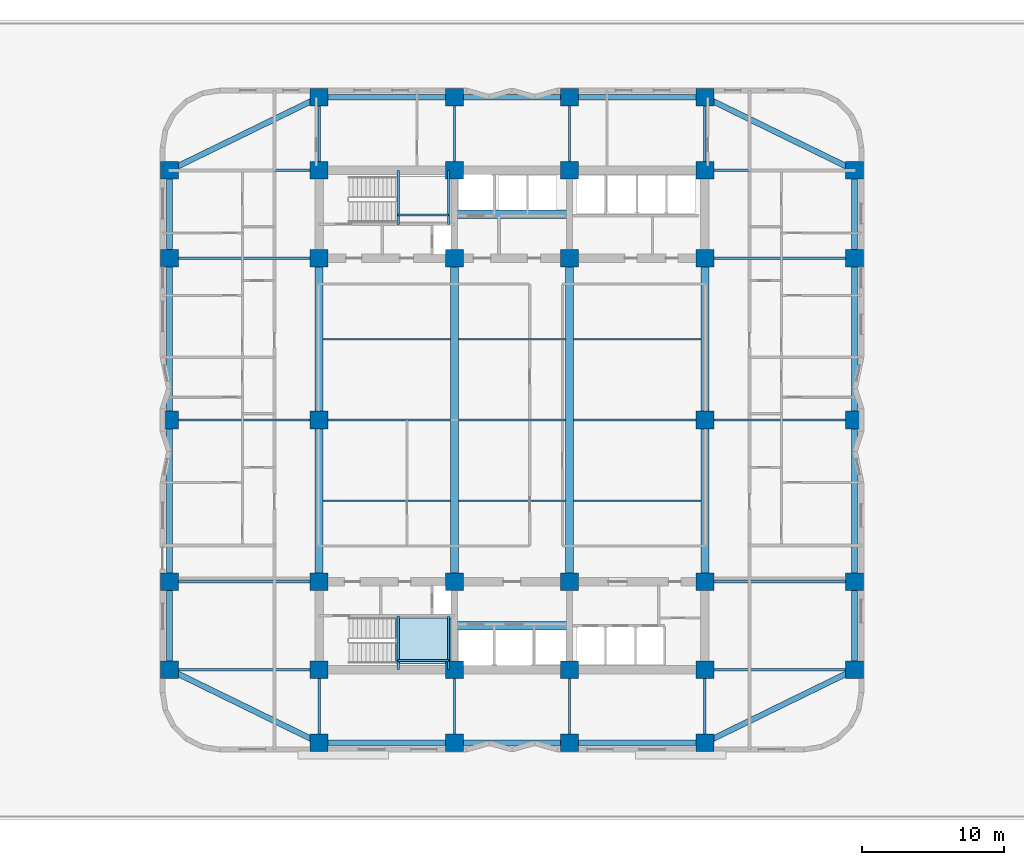
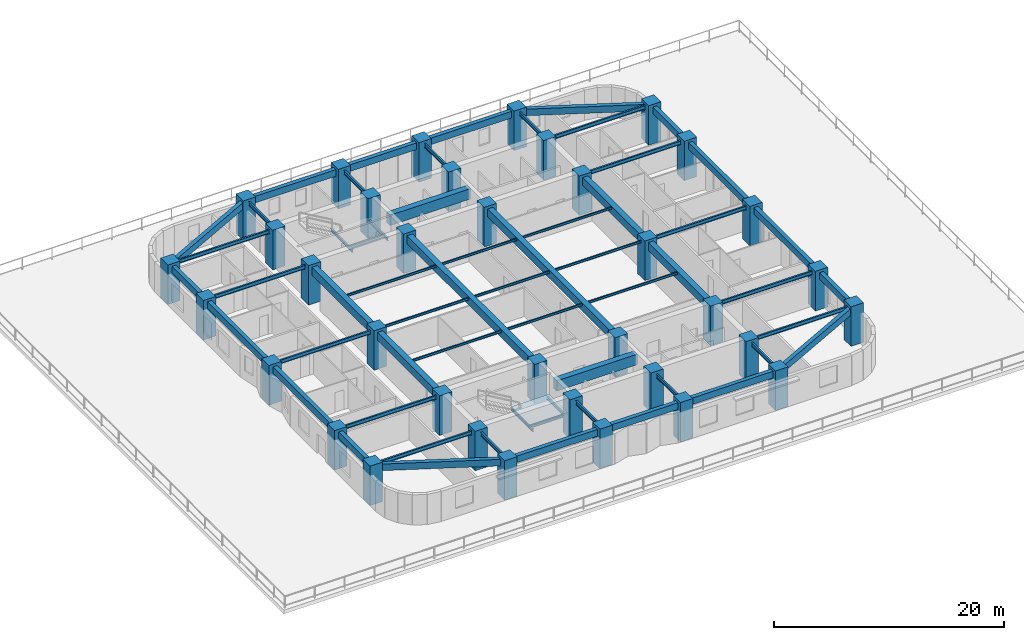
# One storey, part 1 of 11: 59 beams, 36 columns, 1 slab, 1 element without a shape of its own.
"""IFC4 building model written with IfcOpenShell, lengths in metres."""

from ifc_helpers import new_model, si_unit, direction, frame, origin, origin_2d, place, context, subcontext, project, spatial, polyline, rectangle, i_section, outline, extrude, material, layer, layer_set, material_profile, profile_set, type_object, element, aggregate, save


model = new_model("IFC4")

# Units and contexts
model_context = context("Model", 3, precision=1e-05, world=origin(), true_north=direction((0.0, 1.0)))
body_context = subcontext(model_context, "Body", "Model", "MODEL_VIEW")
ifc_project = project(units=[si_unit("LENGTHUNIT", "METRE"), si_unit("AREAUNIT", "SQUARE_METRE"), si_unit("VOLUMEUNIT", "CUBIC_METRE"), si_unit("PLANEANGLEUNIT", "RADIAN"), si_unit("MASSUNIT", "GRAM", prefix="KILO")], contexts=[model_context])

# Site, building, storey
site_placement = place(None, origin())
site = spatial("IfcSite", under=ifc_project, at=site_placement, CompositionType="ELEMENT")
building_placement = place(site_placement, origin())
building = spatial("IfcBuilding", under=site, at=building_placement, Name="Svetorya Sky Lyceum", CompositionType="ELEMENT")
storey_placement = place(building_placement, frame((0.0, 0.0, 24.60009765625)))
storey = spatial("IfcBuildingStorey", under=building, at=storey_placement, Name="L05", CompositionType="ELEMENT", Elevation=24.60009765625)

# Columns
ifc_material_1 = material(Name="Concrete C60/75", Category="concrete")
ifc_material_profile_1 = material_profile(ifc_material_1, rectangle(XDim=1.25, YDim=1.25, at=origin_2d()), Name="RC COL 1250x1250")
ifc_profile_set_1 = profile_set([ifc_material_profile_1], Name="Concrete C60/75")
column_type = type_object("IfcColumnType", Name="COL-RC-1250", PredefinedType="COLUMN", material=ifc_profile_set_1)
for number, where, z_axis, x_axis, name in (
    (1, (25.60009765625, 10.60009765625, 0.0), (0.0, 0.0, 1.0), (1.0, 0.0, 0.0), "L05 Core Column CS-11"),
    (2, (25.60009765625, 16.800048828125, 0.0), (0.0, 0.0, 1.0), (1.0, 0.0, 0.0), "L05 Core Column CS-12"),
    (3, (35.14990234375, 10.60009765625, 0.0), (0.0, 0.0, 1.0), (1.0, 0.0, 0.0), "L05 Core Column CS-21"),
    (4, (35.14990234375, 16.800048828125, 0.0), (0.0, 0.0, 1.0), (1.0, 0.0, 0.0), "L05 Core Column CS-22"),
    (5, (43.25, 10.60009765625, 0.0), (0.0, 0.0, 1.0), (1.0, 0.0, 0.0), "L05 Core Column CS-31"),
    (6, (43.25, 16.800048828125, 0.0), (0.0, 0.0, 1.0), (1.0, 0.0, 0.0), "L05 Core Column CS-32"),
    (7, (52.800048828125, 10.60009765625, 0.0), (0.0, 0.0, 1.0), (1.0, 0.0, 0.0), "L05 Core Column CS-41"),
    (8, (52.800048828125, 16.800048828125, 0.0), (0.0, 0.0, 1.0), (1.0, 0.0, 0.0), "L05 Core Column CS-42"),
    (9, (25.60009765625, 39.60009765625, 0.0), (0.0, 0.0, 1.0), (1.0, 0.0, 0.0), "L05 Core Column CN-11"),
    (10, (25.60009765625, 45.800048828125, 0.0), (0.0, 0.0, 1.0), (1.0, 0.0, 0.0), "L05 Core Column CN-12"),
    (11, (35.14990234375, 39.60009765625, 0.0), (0.0, 0.0, 1.0), (1.0, 0.0, 0.0), "L05 Core Column CN-21"),
    (12, (35.14990234375, 45.800048828125, 0.0), (0.0, 0.0, 1.0), (1.0, 0.0, 0.0), "L05 Core Column CN-22"),
    (13, (43.25, 39.60009765625, 0.0), (0.0, 0.0, 1.0), (1.0, 0.0, 0.0), "L05 Core Column CN-31"),
    (14, (43.25, 45.800048828125, 0.0), (0.0, 0.0, 1.0), (1.0, 0.0, 0.0), "L05 Core Column CN-32"),
    (15, (52.800048828125, 39.60009765625, 0.0), (0.0, 0.0, 1.0), (1.0, 0.0, 0.0), "L05 Core Column CN-41"),
    (16, (52.800048828125, 45.800048828125, 0.0), (0.0, 0.0, 1.0), (1.0, 0.0, 0.0), "L05 Core Column CN-42"),
    (17, (25.60009765625, 28.199951171875, 0.0), (0.0, 0.0, 1.0), (1.0, 0.0, 0.0), "L05 Core Column CM-W"),
    (18, (52.800048828125, 28.199951171875, 0.0), (0.0, 0.0, 1.0), (1.0, 0.0, 0.0), "L05 Core Column CM-E"),
    (19, (25.60009765625, 5.449951171875, 0.0), (0.0, 0.0, 1.0), (1.0, 0.0, 0.0), "L05 Perimeter Column S1"),
    (20, (25.60009765625, 50.949951171875, 0.0), (0.0, 0.0, 1.0), (1.0, 0.0, 0.0), "L05 Perimeter Column N1"),
    (21, (35.14990234375, 5.449951171875, 0.0), (0.0, 0.0, 1.0), (1.0, 0.0, 0.0), "L05 Perimeter Column S2"),
    (22, (35.14990234375, 50.949951171875, 0.0), (0.0, 0.0, 1.0), (1.0, 0.0, 0.0), "L05 Perimeter Column N2"),
    (23, (43.25, 5.449951171875, 0.0), (0.0, 0.0, 1.0), (1.0, 0.0, 0.0), "L05 Perimeter Column S3"),
    (24, (43.25, 50.949951171875, 0.0), (0.0, 0.0, 1.0), (1.0, 0.0, 0.0), "L05 Perimeter Column N3"),
    (25, (52.800048828125, 5.449951171875, 0.0), (0.0, 0.0, 1.0), (1.0, 0.0, 0.0), "L05 Perimeter Column S4"),
    (26, (52.800048828125, 50.949951171875, 0.0), (0.0, 0.0, 1.0), (1.0, 0.0, 0.0), "L05 Perimeter Column N4"),
    (27, (15.050048828125, 10.60009765625, 0.0), (0.0, 0.0, 1.0), (1.0, 0.0, 0.0), "L05 Perimeter Column W1"),
    (28, (63.35009765625, 10.60009765625, 0.0), (0.0, 0.0, 1.0), (1.0, 0.0, 0.0), "L05 Perimeter Column E1"),
    (29, (15.050048828125, 16.800048828125, 0.0), (0.0, 0.0, 1.0), (1.0, 0.0, 0.0), "L05 Perimeter Column W2"),
    (30, (63.35009765625, 16.800048828125, 0.0), (0.0, 0.0, 1.0), (1.0, 0.0, 0.0), "L05 Perimeter Column E2"),
    (31, (15.050048828125, 28.199951171875, 0.0), (0.0, 0.0, 1.0), (1.0, 0.0, 0.0), "L05 Perimeter Column W3"),
    (32, (63.35009765625, 28.199951171875, 0.0), (0.0, 0.0, 1.0), (1.0, 0.0, 0.0), "L05 Perimeter Column E3"),
    (33, (15.050048828125, 39.60009765625, 0.0), (0.0, 0.0, 1.0), (1.0, 0.0, 0.0), "L05 Perimeter Column W4"),
    (34, (63.35009765625, 39.60009765625, 0.0), (0.0, 0.0, 1.0), (1.0, 0.0, 0.0), "L05 Perimeter Column E4"),
    (35, (15.050048828125, 45.800048828125, 0.0), (0.0, 0.0, 1.0), (1.0, 0.0, 0.0), "L05 Perimeter Column W5"),
    (36, (63.35009765625, 45.800048828125, 0.0), (0.0, 0.0, 1.0), (1.0, 0.0, 0.0), "L05 Perimeter Column E5"),
):
    element("IfcColumn", number, at=place(storey_placement, frame(where, z_axis=z_axis, x_axis=x_axis)), inside=storey, type_object=column_type, Name=name, PredefinedType="COLUMN", context=body_context, shape_type="SweptSolid", body=[
        extrude(rectangle(XDim=1.25, YDim=1.25, at=origin_2d()), origin(), (0.0, 0.0, 1.0), 4.199951171875),
    ])

# Beams
ifc_material_profile_2 = material_profile(ifc_material_1, rectangle(XDim=0.60009765625, YDim=1.10009765625, at=origin_2d()), Name="RC COUPLING 600x1100")
ifc_profile_set_2 = profile_set([ifc_material_profile_2], Name="Concrete C60/75")
beam_type_1 = type_object("IfcBeamType", Name="BM-CPL-1100", PredefinedType="LINTEL", material=ifc_profile_set_2)
for number, where, z_axis, x_axis, name in (
    (37, (35.14990234375, 13.699951171875, 3.369873046875), (1.0, 0.0, 0.0), (0.0, 1.0, 0.0), "L05 SC Core Coupling Beam"),
    (38, (35.14990234375, 42.699951171875, 3.369873046875), (1.0, 0.0, 0.0), (0.0, 1.0, 0.0), "L05 NC Core Coupling Beam"),
):
    element("IfcBeam", number, at=place(storey_placement, frame(where, z_axis=z_axis, x_axis=x_axis)), inside=storey, type_object=beam_type_1, Name=name, PredefinedType="LINTEL", context=body_context, shape_type="SweptSolid", body=[
        extrude(rectangle(XDim=0.60009765625, YDim=1.10009765625, at=origin_2d()), origin(), (0.0, 0.0, 1.0), 8.10009765625),
    ])
ifc_material_2 = material(Name="Concrete C50/60", Category="concrete")
ifc_material_profile_3 = material_profile(ifc_material_2, rectangle(XDim=0.550048828125, YDim=0.85009765625, at=origin_2d()), Name="RC BEAM 550x850")
ifc_profile_set_3 = profile_set([ifc_material_profile_3], Name="Concrete C50/60")
beam_type_2 = type_object("IfcBeamType", Name="BM-RC-850", PredefinedType="BEAM", material=ifc_profile_set_3)
beam_1_placement = place(storey_placement, frame((25.60009765625, 16.800048828125, 3.494873046875), z_axis=(0.0, 1.0, 0.0), x_axis=(-1.0, 0.0, 0.0)))
element("IfcBeam", 39, at=beam_1_placement, inside=storey, type_object=beam_type_2, Name="L05 Central Bay Primary Girder CG-1A", PredefinedType="BEAM", context=body_context, shape_type="SweptSolid", body=[
    extrude(rectangle(XDim=0.550048828125, YDim=0.85009765625, at=origin_2d()), origin(), (0.0, 0.0, 1.0), 11.39990234375),
])
beam_2_placement = place(storey_placement, frame((25.60009765625, 28.199951171875, 3.494873046875), z_axis=(0.0, 1.0, 0.0), x_axis=(-1.0, 0.0, 0.0)))
element("IfcBeam", 40, at=beam_2_placement, inside=storey, type_object=beam_type_2, Name="L05 Central Bay Primary Girder CG-1B", PredefinedType="BEAM", context=body_context, shape_type="SweptSolid", body=[
    extrude(rectangle(XDim=0.550048828125, YDim=0.85009765625, at=origin_2d()), origin(), (0.0, 0.0, 1.0), 11.400146484375),
])
for number, where, z_axis, x_axis, name in (
    (41, (35.14990234375, 16.800048828125, 3.494873046875), (0.0, 1.0, 0.0), (-1.0, 0.0, 0.0), "L05 Central Bay Primary Girder CG-2"),
    (42, (43.25, 16.800048828125, 3.494873046875), (0.0, 1.0, 0.0), (-1.0, 0.0, 0.0), "L05 Central Bay Primary Girder CG-3"),
):
    element("IfcBeam", number, at=place(storey_placement, frame(where, z_axis=z_axis, x_axis=x_axis)), inside=storey, type_object=beam_type_2, Name=name, PredefinedType="BEAM", context=body_context, shape_type="SweptSolid", body=[
        extrude(rectangle(XDim=0.550048828125, YDim=0.85009765625, at=origin_2d()), origin(), (0.0, 0.0, 1.0), 22.800048828125),
    ])
beam_3_placement = place(storey_placement, frame((52.800048828125, 16.800048828125, 3.494873046875), z_axis=(0.0, 1.0, 0.0), x_axis=(-1.0, 0.0, 0.0)))
element("IfcBeam", 43, at=beam_3_placement, inside=storey, type_object=beam_type_2, Name="L05 Central Bay Primary Girder CG-4A", PredefinedType="BEAM", context=body_context, shape_type="SweptSolid", body=[
    extrude(rectangle(XDim=0.550048828125, YDim=0.85009765625, at=origin_2d()), origin(), (0.0, 0.0, 1.0), 11.39990234375),
])
beam_4_placement = place(storey_placement, frame((52.800048828125, 28.199951171875, 3.494873046875), z_axis=(0.0, 1.0, 0.0), x_axis=(-1.0, 0.0, 0.0)))
element("IfcBeam", 44, at=beam_4_placement, inside=storey, type_object=beam_type_2, Name="L05 Central Bay Primary Girder CG-4B", PredefinedType="BEAM", context=body_context, shape_type="SweptSolid", body=[
    extrude(rectangle(XDim=0.550048828125, YDim=0.85009765625, at=origin_2d()), origin(), (0.0, 0.0, 1.0), 11.400146484375),
])
ifc_material_profile_4 = material_profile(ifc_material_2, rectangle(XDim=0.39990234375, YDim=0.699951171875, at=origin_2d()), Name="RC SPANDREL 400x700")
ifc_profile_set_4 = profile_set([ifc_material_profile_4], Name="Concrete C50/60")
beam_type_3 = type_object("IfcBeamType", Name="BM-SPN-700", PredefinedType="SPANDREL", material=ifc_profile_set_4)
beam_5_placement = place(storey_placement, frame((25.60009765625, 5.449951171875, 3.56982421875), z_axis=(1.0, 0.0, 0.0), x_axis=(0.0, 1.0, 0.0)))
element("IfcBeam", 45, at=beam_5_placement, inside=storey, type_object=beam_type_3, Name="L05 South Spandrel 1", PredefinedType="SPANDREL", context=body_context, shape_type="SweptSolid", body=[
    extrude(rectangle(XDim=0.39990234375, YDim=0.699951171875, at=origin_2d()), origin(), (0.0, 0.0, 1.0), 9.5498046875),
])
beam_6_placement = place(storey_placement, frame((35.14990234375, 5.449951171875, 3.56982421875), z_axis=(1.0, 0.0, 0.0), x_axis=(0.0, 1.0, 0.0)))
element("IfcBeam", 46, at=beam_6_placement, inside=storey, type_object=beam_type_3, Name="L05 South Spandrel 2", PredefinedType="SPANDREL", context=body_context, shape_type="SweptSolid", body=[
    extrude(rectangle(XDim=0.39990234375, YDim=0.699951171875, at=origin_2d()), origin(), (0.0, 0.0, 1.0), 8.10009765625),
])
beam_7_placement = place(storey_placement, frame((43.25, 5.449951171875, 3.56982421875), z_axis=(1.0, 0.0, 0.0), x_axis=(0.0, 1.0, 0.0)))
element("IfcBeam", 47, at=beam_7_placement, inside=storey, type_object=beam_type_3, Name="L05 South Spandrel 3", PredefinedType="SPANDREL", context=body_context, shape_type="SweptSolid", body=[
    extrude(rectangle(XDim=0.39990234375, YDim=0.699951171875, at=origin_2d()), origin(), (0.0, 0.0, 1.0), 9.550048828125),
])
beam_8_placement = place(storey_placement, frame((25.60009765625, 50.949951171875, 3.56982421875), z_axis=(1.0, 0.0, 0.0), x_axis=(0.0, 1.0, 0.0)))
element("IfcBeam", 48, at=beam_8_placement, inside=storey, type_object=beam_type_3, Name="L05 North Spandrel 1", PredefinedType="SPANDREL", context=body_context, shape_type="SweptSolid", body=[
    extrude(rectangle(XDim=0.39990234375, YDim=0.699951171875, at=origin_2d()), origin(), (0.0, 0.0, 1.0), 9.5498046875),
])
beam_9_placement = place(storey_placement, frame((35.14990234375, 50.949951171875, 3.56982421875), z_axis=(1.0, 0.0, 0.0), x_axis=(0.0, 1.0, 0.0)))
element("IfcBeam", 49, at=beam_9_placement, inside=storey, type_object=beam_type_3, Name="L05 North Spandrel 2", PredefinedType="SPANDREL", context=body_context, shape_type="SweptSolid", body=[
    extrude(rectangle(XDim=0.39990234375, YDim=0.699951171875, at=origin_2d()), origin(), (0.0, 0.0, 1.0), 8.10009765625),
])
beam_10_placement = place(storey_placement, frame((43.25, 50.949951171875, 3.56982421875), z_axis=(1.0, 0.0, 0.0), x_axis=(0.0, 1.0, 0.0)))
element("IfcBeam", 50, at=beam_10_placement, inside=storey, type_object=beam_type_3, Name="L05 North Spandrel 3", PredefinedType="SPANDREL", context=body_context, shape_type="SweptSolid", body=[
    extrude(rectangle(XDim=0.39990234375, YDim=0.699951171875, at=origin_2d()), origin(), (0.0, 0.0, 1.0), 9.550048828125),
])
for number, where, z_axis, x_axis, name in (
    (51, (25.60009765625, 5.449951171875, 3.56982421875), (-0.898641495694, 0.438683783854, 0.0), (-0.438683783854, -0.898641495694, 0.0), "L05 Corner Spandrel 1"),
    (52, (52.800048828125, 5.449951171875, 3.56982421875), (0.898641495694, 0.438683783854, 0.0), (-0.438683783854, 0.898641495694, 0.0), "L05 Corner Spandrel 2"),
    (53, (63.35009765625, 45.800048828125, 3.56982421875), (-0.898649693653, 0.438666989978, 0.0), (-0.438666989978, -0.898649693653, 0.0), "L05 Corner Spandrel 3"),
    (54, (15.050048828125, 45.800048828125, 3.56982421875), (0.898649693653, 0.438666989978, 0.0), (-0.438666989978, 0.898649693653, 0.0), "L05 Corner Spandrel 4"),
):
    element("IfcBeam", number, at=place(storey_placement, frame(where, z_axis=z_axis, x_axis=x_axis)), inside=storey, type_object=beam_type_3, Name=name, PredefinedType="SPANDREL", context=body_context, shape_type="SweptSolid", body=[
        extrude(rectangle(XDim=0.39990234375, YDim=0.699951171875, at=origin_2d()), origin(), (0.0, 0.0, 1.0), 11.739990234375),
    ])
beam_11_placement = place(storey_placement, frame((15.050048828125, 10.60009765625, 3.56982421875), z_axis=(0.0, 1.0, 0.0), x_axis=(-1.0, 0.0, 0.0)))
element("IfcBeam", 55, at=beam_11_placement, inside=storey, type_object=beam_type_3, Name="L05 West Spandrel 1", PredefinedType="SPANDREL", context=body_context, shape_type="SweptSolid", body=[
    extrude(rectangle(XDim=0.39990234375, YDim=0.699951171875, at=origin_2d()), origin(), (0.0, 0.0, 1.0), 6.199951171875),
])
beam_12_placement = place(storey_placement, frame((15.050048828125, 16.800048828125, 3.56982421875), z_axis=(0.0, 1.0, 0.0), x_axis=(-1.0, 0.0, 0.0)))
element("IfcBeam", 56, at=beam_12_placement, inside=storey, type_object=beam_type_3, Name="L05 West Spandrel 2", PredefinedType="SPANDREL", context=body_context, shape_type="SweptSolid", body=[
    extrude(rectangle(XDim=0.39990234375, YDim=0.699951171875, at=origin_2d()), origin(), (0.0, 0.0, 1.0), 11.39990234375),
])
beam_13_placement = place(storey_placement, frame((15.050048828125, 28.199951171875, 3.56982421875), z_axis=(0.0, 1.0, 0.0), x_axis=(-1.0, 0.0, 0.0)))
element("IfcBeam", 57, at=beam_13_placement, inside=storey, type_object=beam_type_3, Name="L05 West Spandrel 3", PredefinedType="SPANDREL", context=body_context, shape_type="SweptSolid", body=[
    extrude(rectangle(XDim=0.39990234375, YDim=0.699951171875, at=origin_2d()), origin(), (0.0, 0.0, 1.0), 11.400146484375),
])
for number, where, z_axis, x_axis, name in (
    (58, (15.050048828125, 39.60009765625, 3.56982421875), (0.0, 1.0, 0.0), (-1.0, 0.0, 0.0), "L05 West Spandrel 4"),
    (59, (63.35009765625, 10.60009765625, 3.56982421875), (0.0, 1.0, 0.0), (-1.0, 0.0, 0.0), "L05 East Spandrel 1"),
):
    element("IfcBeam", number, at=place(storey_placement, frame(where, z_axis=z_axis, x_axis=x_axis)), inside=storey, type_object=beam_type_3, Name=name, PredefinedType="SPANDREL", context=body_context, shape_type="SweptSolid", body=[
        extrude(rectangle(XDim=0.39990234375, YDim=0.699951171875, at=origin_2d()), origin(), (0.0, 0.0, 1.0), 6.199951171875),
    ])
beam_14_placement = place(storey_placement, frame((63.35009765625, 16.800048828125, 3.56982421875), z_axis=(0.0, 1.0, 0.0), x_axis=(-1.0, 0.0, 0.0)))
element("IfcBeam", 60, at=beam_14_placement, inside=storey, type_object=beam_type_3, Name="L05 East Spandrel 2", PredefinedType="SPANDREL", context=body_context, shape_type="SweptSolid", body=[
    extrude(rectangle(XDim=0.39990234375, YDim=0.699951171875, at=origin_2d()), origin(), (0.0, 0.0, 1.0), 11.39990234375),
])
beam_15_placement = place(storey_placement, frame((63.35009765625, 28.199951171875, 3.56982421875), z_axis=(0.0, 1.0, 0.0), x_axis=(-1.0, 0.0, 0.0)))
element("IfcBeam", 61, at=beam_15_placement, inside=storey, type_object=beam_type_3, Name="L05 East Spandrel 3", PredefinedType="SPANDREL", context=body_context, shape_type="SweptSolid", body=[
    extrude(rectangle(XDim=0.39990234375, YDim=0.699951171875, at=origin_2d()), origin(), (0.0, 0.0, 1.0), 11.400146484375),
])
beam_16_placement = place(storey_placement, frame((63.35009765625, 39.60009765625, 3.56982421875), z_axis=(0.0, 1.0, 0.0), x_axis=(-1.0, 0.0, 0.0)))
element("IfcBeam", 62, at=beam_16_placement, inside=storey, type_object=beam_type_3, Name="L05 East Spandrel 4", PredefinedType="SPANDREL", context=body_context, shape_type="SweptSolid", body=[
    extrude(rectangle(XDim=0.39990234375, YDim=0.699951171875, at=origin_2d()), origin(), (0.0, 0.0, 1.0), 6.199951171875),
])
ifc_material_3 = material(Name="Steel S355", Category="steel")
ifc_material_profile_5 = material_profile(ifc_material_3, i_section(OverallWidth=0.1240234375, OverallDepth=0.248046875, WebThickness=0.006103515625, FlangeThickness=0.009521484375, at=origin_2d()), Name="GOST 25B2")
ifc_profile_set_5 = profile_set([ifc_material_profile_5], Name="Steel S355")
beam_type_4 = type_object("IfcBeamType", Name="BM-STL-25B2", PredefinedType="JOIST", material=ifc_profile_set_5)
beam_17_placement = place(storey_placement, frame((25.875, 22.5, 3.7958984375), z_axis=(1.0, 0.0, 0.0), x_axis=(0.0, 1.0, 0.0)))
element("IfcBeam", 63, at=beam_17_placement, inside=storey, type_object=beam_type_4, Name="L05 Central Floor Joist CJ-1.1", PredefinedType="JOIST", context=body_context, shape_type="SweptSolid", body=[
    extrude(i_section(OverallWidth=0.1240234375, OverallDepth=0.248046875, WebThickness=0.006103515625, FlangeThickness=0.009521484375, at=origin_2d()), origin(), (0.0, 0.0, 1.0), 9.0),
])
beam_18_placement = place(storey_placement, frame((35.425048828125, 22.5, 3.7958984375), z_axis=(1.0, 0.0, 0.0), x_axis=(0.0, 1.0, 0.0)))
element("IfcBeam", 64, at=beam_18_placement, inside=storey, type_object=beam_type_4, Name="L05 Central Floor Joist CJ-1.2", PredefinedType="JOIST", context=body_context, shape_type="SweptSolid", body=[
    extrude(i_section(OverallWidth=0.1240234375, OverallDepth=0.248046875, WebThickness=0.006103515625, FlangeThickness=0.009521484375, at=origin_2d()), origin(), (0.0, 0.0, 1.0), 7.550048828125),
])
for number, where, z_axis, x_axis, name in (
    (65, (43.52490234375, 22.5, 3.7958984375), (1.0, 0.0, 0.0), (0.0, 1.0, 0.0), "L05 Central Floor Joist CJ-1.3"),
    (66, (25.875, 28.199951171875, 3.7958984375), (1.0, 0.0, 0.0), (0.0, 1.0, 0.0), "L05 Central Floor Joist CJ-2.1"),
):
    element("IfcBeam", number, at=place(storey_placement, frame(where, z_axis=z_axis, x_axis=x_axis)), inside=storey, type_object=beam_type_4, Name=name, PredefinedType="JOIST", context=body_context, shape_type="SweptSolid", body=[
        extrude(i_section(OverallWidth=0.1240234375, OverallDepth=0.248046875, WebThickness=0.006103515625, FlangeThickness=0.009521484375, at=origin_2d()), origin(), (0.0, 0.0, 1.0), 9.0),
    ])
beam_19_placement = place(storey_placement, frame((35.425048828125, 28.199951171875, 3.7958984375), z_axis=(1.0, 0.0, 0.0), x_axis=(0.0, 1.0, 0.0)))
element("IfcBeam", 67, at=beam_19_placement, inside=storey, type_object=beam_type_4, Name="L05 Central Floor Joist CJ-2.2", PredefinedType="JOIST", context=body_context, shape_type="SweptSolid", body=[
    extrude(i_section(OverallWidth=0.1240234375, OverallDepth=0.248046875, WebThickness=0.006103515625, FlangeThickness=0.009521484375, at=origin_2d()), origin(), (0.0, 0.0, 1.0), 7.550048828125),
])
for number, where, z_axis, x_axis, name in (
    (68, (43.52490234375, 28.199951171875, 3.7958984375), (1.0, 0.0, 0.0), (0.0, 1.0, 0.0), "L05 Central Floor Joist CJ-2.3"),
    (69, (25.875, 33.89990234375, 3.7958984375), (1.0, 0.0, 0.0), (0.0, 1.0, 0.0), "L05 Central Floor Joist CJ-3.1"),
):
    element("IfcBeam", number, at=place(storey_placement, frame(where, z_axis=z_axis, x_axis=x_axis)), inside=storey, type_object=beam_type_4, Name=name, PredefinedType="JOIST", context=body_context, shape_type="SweptSolid", body=[
        extrude(i_section(OverallWidth=0.1240234375, OverallDepth=0.248046875, WebThickness=0.006103515625, FlangeThickness=0.009521484375, at=origin_2d()), origin(), (0.0, 0.0, 1.0), 9.0),
    ])
beam_20_placement = place(storey_placement, frame((35.425048828125, 33.89990234375, 3.7958984375), z_axis=(1.0, 0.0, 0.0), x_axis=(0.0, 1.0, 0.0)))
element("IfcBeam", 70, at=beam_20_placement, inside=storey, type_object=beam_type_4, Name="L05 Central Floor Joist CJ-3.2", PredefinedType="JOIST", context=body_context, shape_type="SweptSolid", body=[
    extrude(i_section(OverallWidth=0.1240234375, OverallDepth=0.248046875, WebThickness=0.006103515625, FlangeThickness=0.009521484375, at=origin_2d()), origin(), (0.0, 0.0, 1.0), 7.550048828125),
])
beam_21_placement = place(storey_placement, frame((43.52490234375, 33.89990234375, 3.7958984375), z_axis=(1.0, 0.0, 0.0), x_axis=(0.0, 1.0, 0.0)))
element("IfcBeam", 71, at=beam_21_placement, inside=storey, type_object=beam_type_4, Name="L05 Central Floor Joist CJ-3.3", PredefinedType="JOIST", context=body_context, shape_type="SweptSolid", body=[
    extrude(i_section(OverallWidth=0.1240234375, OverallDepth=0.248046875, WebThickness=0.006103515625, FlangeThickness=0.009521484375, at=origin_2d()), origin(), (0.0, 0.0, 1.0), 9.0),
])
ifc_material_profile_6 = material_profile(ifc_material_3, i_section(OverallWidth=0.14990234375, OverallDepth=0.299072265625, WebThickness=0.006591796875, FlangeThickness=0.010498046875, at=origin_2d()), Name="GOST 30B2")
ifc_profile_set_6 = profile_set([ifc_material_profile_6], Name="Steel S355")
beam_type_5 = type_object("IfcBeamType", Name="BM-STL-30B2", PredefinedType="JOIST", material=ifc_profile_set_6)
for number, where, z_axis, x_axis, name in (
    (72, (31.179931640625, 10.60009765625, 1.75048828125), (0.0, 1.0, 0.0), (-1.0, 0.0, 0.0), "L05 Stair ST-S Half-Landing Support Beam 7.1"),
    (73, (34.719970703125, 10.60009765625, 1.75048828125), (0.0, 1.0, 0.0), (-1.0, 0.0, 0.0), "L05 Stair ST-S Half-Landing Support Beam 7.2"),
):
    element("IfcBeam", number, at=place(storey_placement, frame(where, z_axis=z_axis, x_axis=x_axis)), inside=storey, type_object=beam_type_5, Name=name, PredefinedType="JOIST", context=body_context, shape_type="SweptSolid", body=[
        extrude(i_section(OverallWidth=0.14990234375, OverallDepth=0.299072265625, WebThickness=0.006591796875, FlangeThickness=0.010498046875, at=origin_2d()), origin(), (0.0, 0.0, 1.0), 3.7998046875),
    ])
beam_22_placement = place(storey_placement, frame((31.179931640625, 11.25, 1.75048828125), z_axis=(1.0, 0.0, 0.0), x_axis=(0.0, 1.0, 0.0)))
element("IfcBeam", 74, at=beam_22_placement, inside=storey, type_object=beam_type_5, Name="L05 Stair ST-S Half-Landing Cross Tie 7", PredefinedType="JOIST", context=body_context, shape_type="SweptSolid", body=[
    extrude(i_section(OverallWidth=0.14990234375, OverallDepth=0.299072265625, WebThickness=0.006591796875, FlangeThickness=0.010498046875, at=origin_2d()), origin(), (0.0, 0.0, 1.0), 3.5400390625),
])
for number, where, z_axis, x_axis, name in (
    (75, (31.179931640625, 42.0, 1.75048828125), (0.0, 1.0, 0.0), (-1.0, 0.0, 0.0), "L05 Stair ST-N Half-Landing Support Beam 7.1"),
    (76, (34.719970703125, 42.0, 1.75048828125), (0.0, 1.0, 0.0), (-1.0, 0.0, 0.0), "L05 Stair ST-N Half-Landing Support Beam 7.2"),
):
    element("IfcBeam", number, at=place(storey_placement, frame(where, z_axis=z_axis, x_axis=x_axis)), inside=storey, type_object=beam_type_5, Name=name, PredefinedType="JOIST", context=body_context, shape_type="SweptSolid", body=[
        extrude(i_section(OverallWidth=0.14990234375, OverallDepth=0.299072265625, WebThickness=0.006591796875, FlangeThickness=0.010498046875, at=origin_2d()), origin(), (0.0, 0.0, 1.0), 3.800048828125),
    ])
beam_23_placement = place(storey_placement, frame((31.179931640625, 42.64990234375, 1.75048828125), z_axis=(1.0, 0.0, 0.0), x_axis=(0.0, 1.0, 0.0)))
element("IfcBeam", 77, at=beam_23_placement, inside=storey, type_object=beam_type_5, Name="L05 Stair ST-N Half-Landing Cross Tie 7", PredefinedType="JOIST", context=body_context, shape_type="SweptSolid", body=[
    extrude(i_section(OverallWidth=0.14990234375, OverallDepth=0.299072265625, WebThickness=0.006591796875, FlangeThickness=0.010498046875, at=origin_2d()), origin(), (0.0, 0.0, 1.0), 3.5400390625),
])
ifc_material_profile_7 = material_profile(ifc_material_3, i_section(OverallWidth=0.1650390625, OverallDepth=0.39990234375, WebThickness=0.008056640625, FlangeThickness=0.012939453125, at=origin_2d()), Name="GOST 40B2")
ifc_profile_set_7 = profile_set([ifc_material_profile_7], Name="Steel S355")
beam_type_6 = type_object("IfcBeamType", Name="BM-STL-40B2", PredefinedType="JOIST", material=ifc_profile_set_7)
for number, where, z_axis, x_axis, name in (
    (78, (15.050048828125, 10.60009765625, 3.719970703125), (1.0, 0.0, 0.0), (0.0, 1.0, 0.0), "L05 West Wing Floor Joist W1"),
    (79, (52.800048828125, 10.60009765625, 3.719970703125), (1.0, 0.0, 0.0), (0.0, 1.0, 0.0), "L05 East Wing Floor Joist E1"),
    (80, (15.050048828125, 16.800048828125, 3.719970703125), (1.0, 0.0, 0.0), (0.0, 1.0, 0.0), "L05 West Wing Floor Joist W2"),
    (81, (52.800048828125, 16.800048828125, 3.719970703125), (1.0, 0.0, 0.0), (0.0, 1.0, 0.0), "L05 East Wing Floor Joist E2"),
    (82, (15.050048828125, 28.199951171875, 3.719970703125), (1.0, 0.0, 0.0), (0.0, 1.0, 0.0), "L05 West Wing Floor Joist W3"),
    (83, (52.800048828125, 28.199951171875, 3.719970703125), (1.0, 0.0, 0.0), (0.0, 1.0, 0.0), "L05 East Wing Floor Joist E3"),
    (84, (15.050048828125, 39.60009765625, 3.719970703125), (1.0, 0.0, 0.0), (0.0, 1.0, 0.0), "L05 West Wing Floor Joist W4"),
    (85, (52.800048828125, 39.60009765625, 3.719970703125), (1.0, 0.0, 0.0), (0.0, 1.0, 0.0), "L05 East Wing Floor Joist E4"),
    (86, (15.050048828125, 45.800048828125, 3.719970703125), (1.0, 0.0, 0.0), (0.0, 1.0, 0.0), "L05 West Wing Floor Joist W5"),
    (87, (52.800048828125, 45.800048828125, 3.719970703125), (1.0, 0.0, 0.0), (0.0, 1.0, 0.0), "L05 East Wing Floor Joist E5"),
):
    element("IfcBeam", number, at=place(storey_placement, frame(where, z_axis=z_axis, x_axis=x_axis)), inside=storey, type_object=beam_type_6, Name=name, PredefinedType="JOIST", context=body_context, shape_type="SweptSolid", body=[
        extrude(i_section(OverallWidth=0.1650390625, OverallDepth=0.39990234375, WebThickness=0.008056640625, FlangeThickness=0.012939453125, at=origin_2d()), origin(), (0.0, 0.0, 1.0), 10.550048828125),
    ])
beam_24_placement = place(storey_placement, frame((25.60009765625, 5.449951171875, 3.719970703125), z_axis=(0.0, 1.0, 0.0), x_axis=(-1.0, 0.0, 0.0)))
element("IfcBeam", 88, at=beam_24_placement, inside=storey, type_object=beam_type_6, Name="L05 South Bay Floor Girder S1", PredefinedType="JOIST", context=body_context, shape_type="SweptSolid", body=[
    extrude(i_section(OverallWidth=0.1650390625, OverallDepth=0.39990234375, WebThickness=0.008056640625, FlangeThickness=0.012939453125, at=origin_2d()), origin(), (0.0, 0.0, 1.0), 5.150146484375),
])
beam_25_placement = place(storey_placement, frame((25.60009765625, 45.800048828125, 3.719970703125), z_axis=(0.0, 1.0, 0.0), x_axis=(-1.0, 0.0, 0.0)))
element("IfcBeam", 89, at=beam_25_placement, inside=storey, type_object=beam_type_6, Name="L05 North Bay Floor Girder N1", PredefinedType="JOIST", context=body_context, shape_type="SweptSolid", body=[
    extrude(i_section(OverallWidth=0.1650390625, OverallDepth=0.39990234375, WebThickness=0.008056640625, FlangeThickness=0.012939453125, at=origin_2d()), origin(), (0.0, 0.0, 1.0), 5.14990234375),
])
beam_26_placement = place(storey_placement, frame((35.14990234375, 5.449951171875, 3.719970703125), z_axis=(0.0, 1.0, 0.0), x_axis=(-1.0, 0.0, 0.0)))
element("IfcBeam", 90, at=beam_26_placement, inside=storey, type_object=beam_type_6, Name="L05 South Bay Floor Girder S2", PredefinedType="JOIST", context=body_context, shape_type="SweptSolid", body=[
    extrude(i_section(OverallWidth=0.1650390625, OverallDepth=0.39990234375, WebThickness=0.008056640625, FlangeThickness=0.012939453125, at=origin_2d()), origin(), (0.0, 0.0, 1.0), 5.150146484375),
])
beam_27_placement = place(storey_placement, frame((35.14990234375, 45.800048828125, 3.719970703125), z_axis=(0.0, 1.0, 0.0), x_axis=(-1.0, 0.0, 0.0)))
element("IfcBeam", 91, at=beam_27_placement, inside=storey, type_object=beam_type_6, Name="L05 North Bay Floor Girder N2", PredefinedType="JOIST", context=body_context, shape_type="SweptSolid", body=[
    extrude(i_section(OverallWidth=0.1650390625, OverallDepth=0.39990234375, WebThickness=0.008056640625, FlangeThickness=0.012939453125, at=origin_2d()), origin(), (0.0, 0.0, 1.0), 5.14990234375),
])
beam_28_placement = place(storey_placement, frame((43.25, 5.449951171875, 3.719970703125), z_axis=(0.0, 1.0, 0.0), x_axis=(-1.0, 0.0, 0.0)))
element("IfcBeam", 92, at=beam_28_placement, inside=storey, type_object=beam_type_6, Name="L05 South Bay Floor Girder S3", PredefinedType="JOIST", context=body_context, shape_type="SweptSolid", body=[
    extrude(i_section(OverallWidth=0.1650390625, OverallDepth=0.39990234375, WebThickness=0.008056640625, FlangeThickness=0.012939453125, at=origin_2d()), origin(), (0.0, 0.0, 1.0), 5.150146484375),
])
beam_29_placement = place(storey_placement, frame((43.25, 45.800048828125, 3.719970703125), z_axis=(0.0, 1.0, 0.0), x_axis=(-1.0, 0.0, 0.0)))
element("IfcBeam", 93, at=beam_29_placement, inside=storey, type_object=beam_type_6, Name="L05 North Bay Floor Girder N3", PredefinedType="JOIST", context=body_context, shape_type="SweptSolid", body=[
    extrude(i_section(OverallWidth=0.1650390625, OverallDepth=0.39990234375, WebThickness=0.008056640625, FlangeThickness=0.012939453125, at=origin_2d()), origin(), (0.0, 0.0, 1.0), 5.14990234375),
])
beam_30_placement = place(storey_placement, frame((52.800048828125, 5.449951171875, 3.719970703125), z_axis=(0.0, 1.0, 0.0), x_axis=(-1.0, 0.0, 0.0)))
element("IfcBeam", 94, at=beam_30_placement, inside=storey, type_object=beam_type_6, Name="L05 South Bay Floor Girder S4", PredefinedType="JOIST", context=body_context, shape_type="SweptSolid", body=[
    extrude(i_section(OverallWidth=0.1650390625, OverallDepth=0.39990234375, WebThickness=0.008056640625, FlangeThickness=0.012939453125, at=origin_2d()), origin(), (0.0, 0.0, 1.0), 5.150146484375),
])
beam_31_placement = place(storey_placement, frame((52.800048828125, 45.800048828125, 3.719970703125), z_axis=(0.0, 1.0, 0.0), x_axis=(-1.0, 0.0, 0.0)))
element("IfcBeam", 95, at=beam_31_placement, inside=storey, type_object=beam_type_6, Name="L05 North Bay Floor Girder N4", PredefinedType="JOIST", context=body_context, shape_type="SweptSolid", body=[
    extrude(i_section(OverallWidth=0.1650390625, OverallDepth=0.39990234375, WebThickness=0.008056640625, FlangeThickness=0.012939453125, at=origin_2d()), origin(), (0.0, 0.0, 1.0), 5.14990234375),
])

# Stair, slab
ifc_material_4 = material(Name="Concrete C40/50", Category="concrete")
stair_type = type_object("IfcStairType", Name="STR-ST-S", PredefinedType="HALF_TURN_STAIR", material=ifc_material_4)
stair_placement = place(storey_placement, origin())
stair = element("IfcStair", 96, at=stair_placement, inside=storey, type_object=stair_type, Name="L05 South Core Smoke-Free Exit Stair N2", PredefinedType="HALF_TURN_STAIR")
ifc_layer = layer(ifc_material_4, 0.199951171875)
ifc_layer_set = layer_set([ifc_layer], Name="Concrete C40/50")
slab_type = type_object("IfcSlabType", Name="SL-STR-LAND-200", PredefinedType="LANDING", material=ifc_layer_set)
slab_placement = place(storey_placement, frame((0.0, 0.0, 1.89990234375)))
slab = element("IfcSlab", 97, at=slab_placement, type_object=slab_type, Name="ST-S landing 1", PredefinedType="LANDING", context=body_context, shape_type="SweptSolid", body=[
    extrude(outline(polyline([(31.0, 11.050048828125), (34.89990234375, 11.050048828125), (34.89990234375, 14.25), (31.0, 14.25), (31.0, 11.050048828125)])), origin(), (0.0, 0.0, 1.0), 0.199951171875),
])
aggregate(stair, [slab])

save(model, "model.ifc")
